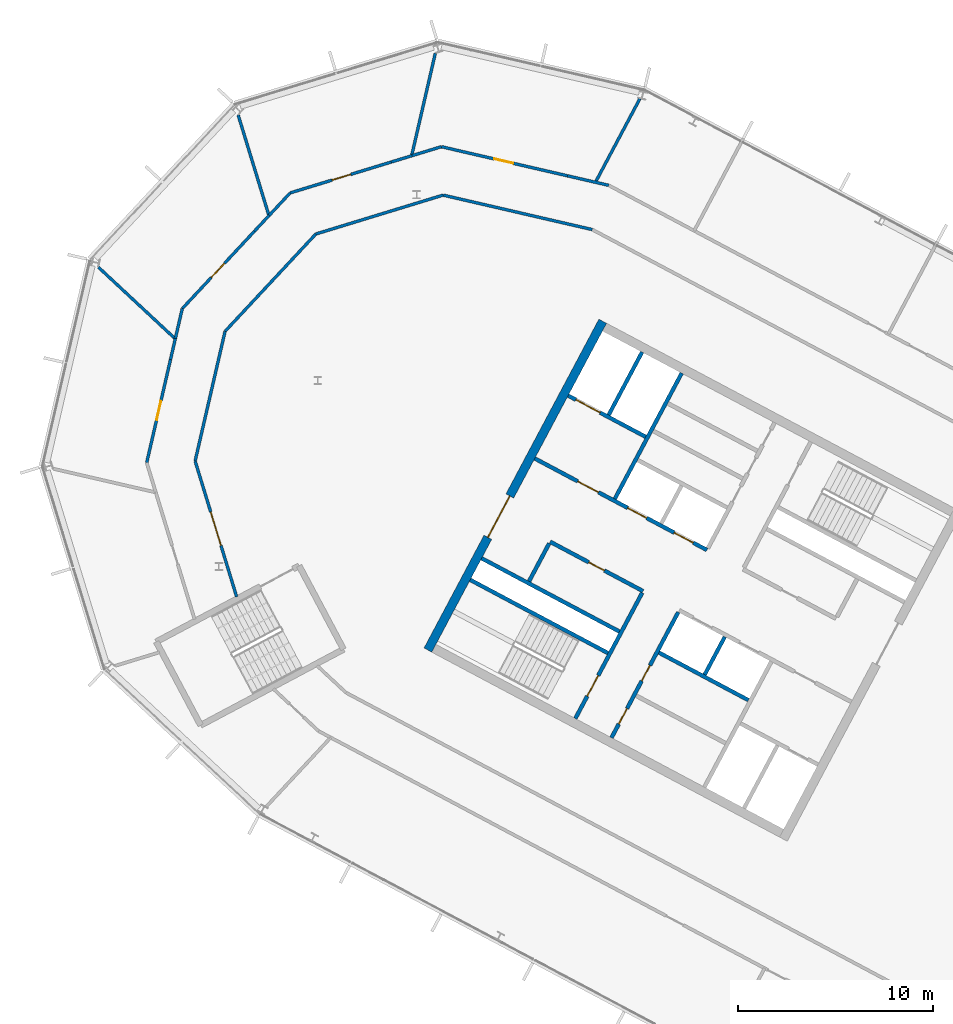
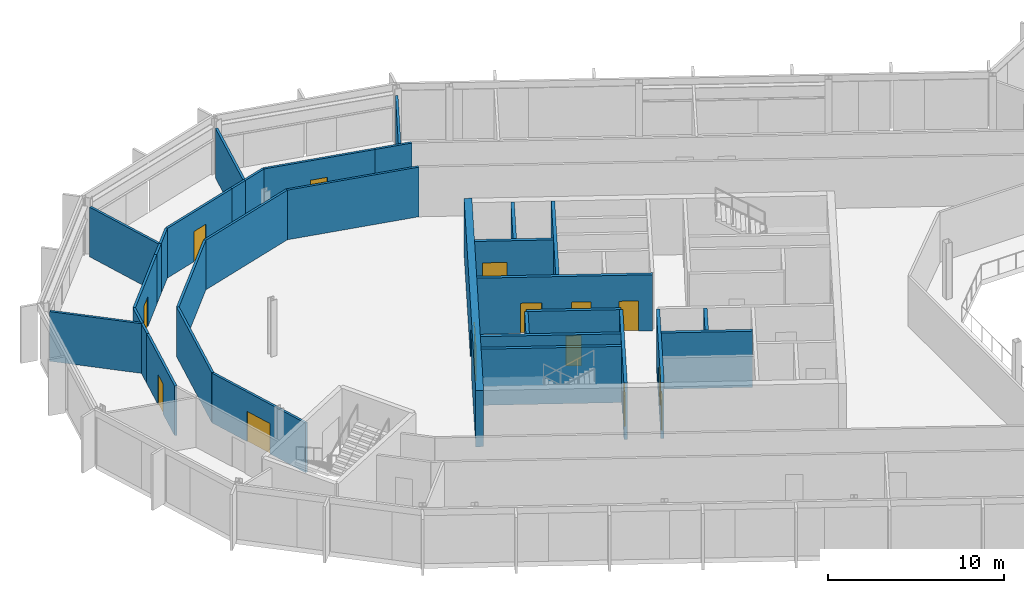
# One storey, part 14 of 26: 33 walls, 14 doors, 14 openings.
"""IFC4 building model written with IfcOpenShell, lengths in metres."""

import ifcopenshell
import ifcopenshell.guid

model = None  # the IFC model being written
_history = None  # IfcOwnerHistory: only IFC2X3 demands one
_inside = {}  # id of a spatial element -> (the spatial element, [elements in it])
_under = {}  # id of a project, library or spatial element -> (it, [spatial elements below it])
_declared = {}  # id of a project -> (the project, [libraries it declares])
_typed = {}  # id of a type object -> (the type object, [elements of that type])
_made_of = {}  # id of a material, layer set ... -> (it, [elements and type objects made of it])


def new_model(schema):
    """Start an empty IFC model of exactly this schema.

    Asked for "IFC4X3", IfcOpenShell would pick the latest addendum, in which some entities
    have other attributes; the version numbers below select the first issue.
    IFC2X3 requires an IfcOwnerHistory on every rooted entity: one is made here for all.
    """
    global model, _history
    if schema == "IFC4X3":
        model = ifcopenshell.file(schema_version=(4, 3, 0, 0))
    else:
        model = ifcopenshell.file(schema=schema)
    _inside.clear()
    _under.clear()
    _declared.clear()
    _typed.clear()
    _made_of.clear()
    _history = None
    if model.schema == "IFC2X3":
        org = make("IfcOrganization", Name="unknown")
        user = make(
            "IfcPersonAndOrganization",
            ThePerson=make("IfcPerson", FamilyName="unknown"),
            TheOrganization=org,
        )
        app = make(
            "IfcApplication",
            ApplicationDeveloper=org,
            Version="unknown",
            ApplicationFullName="unknown",
            ApplicationIdentifier="unknown",
        )
        _history = make(
            "IfcOwnerHistory",
            OwningUser=user,
            OwningApplication=app,
            ChangeAction="ADDED",
            CreationDate=0,
        )
    return model


def make(cls, **values):
    """One entity of the class cls with the attributes given. An attribute that is None is left unset."""
    return model.create_entity(
        cls, **{name: value for name, value in values.items() if value is not None}
    )


def rooted(cls, **values):
    """An entity with a GlobalId (a new one), such as an element, a storey or a relation."""
    return make(cls, GlobalId=ifcopenshell.guid.new(), OwnerHistory=_history, **values)


def si_unit(unit_type, name, prefix=None):
    """IfcSIUnit, for example si_unit("LENGTHUNIT", "METRE", prefix="MILLI")."""
    return make("IfcSIUnit", UnitType=unit_type, Prefix=prefix, Name=name)


def assignment(units):
    """IfcUnitAssignment: the units of a project."""
    return None if units is None else make("IfcUnitAssignment", Units=units)


def point(xyz):
    """IfcCartesianPoint."""
    return None if xyz is None else make("IfcCartesianPoint", Coordinates=xyz)


def direction(xyz):
    """IfcDirection."""
    return None if xyz is None else make("IfcDirection", DirectionRatios=xyz)


def frame(location, z_axis=None, x_axis=None):
    """IfcAxis2Placement3D, a coordinate frame: its origin and axes. An axis left out is left unset."""
    return make(
        "IfcAxis2Placement3D",
        Location=point(location),
        Axis=direction(z_axis),
        RefDirection=direction(x_axis),
    )


def frame_2d(location, x_axis=None):
    """IfcAxis2Placement2D, a coordinate frame in the plane: its origin and x axis."""
    return make(
        "IfcAxis2Placement2D", Location=point(location), RefDirection=direction(x_axis)
    )


def origin():
    """The frame at (0, 0, 0) with its axes left unset."""
    return frame((0.0, 0.0, 0.0))


def place(relative_to, where):
    """IfcLocalPlacement: puts the frame where relative to a parent placement (None: the world)."""
    return make(
        "IfcLocalPlacement", PlacementRelTo=relative_to, RelativePlacement=where
    )


def context(
    kind, dimensions, precision=None, world=None, true_north=None, identifier=None
):
    """IfcGeometricRepresentationContext, for example the 3D "Model" context."""
    return make(
        "IfcGeometricRepresentationContext",
        ContextIdentifier=identifier,
        ContextType=kind,
        CoordinateSpaceDimension=dimensions,
        Precision=precision,
        WorldCoordinateSystem=world,
        TrueNorth=true_north,
    )


def subcontext(parent, identifier, kind, view, scale=None):
    """IfcGeometricRepresentationSubContext, for example "Body" below "Model"."""
    return make(
        "IfcGeometricRepresentationSubContext",
        ContextIdentifier=identifier,
        ContextType=kind,
        ParentContext=parent,
        TargetScale=scale,
        TargetView=view,
    )


def project(units=None, contexts=None):
    """IfcProject with its units and contexts."""
    return rooted(
        "IfcProject",
        Name="project",
        RepresentationContexts=contexts,
        UnitsInContext=assignment(units),
    )


def spatial(cls, under=None, at=None, **own):
    """A site, building, storey or space (cls), placed at a placement, below another one or the project."""
    s = rooted(cls, ObjectPlacement=at, **own)
    if under is not None:
        _under.setdefault(under.id(), (under, []))[1].append(s)
    return s


def profile(cls, at=None, kind="AREA", **sizes):
    """A parametric profile (cls). Its sizes go by their IFC names, for example OverallWidth=200.0."""
    return make(cls, ProfileType=kind, Position=at, **sizes)


def rectangle(**sizes):
    """IfcRectangleProfileDef."""
    return profile("IfcRectangleProfileDef", **sizes)


def extrude(swept, where, along, depth):
    """IfcExtrudedAreaSolid: the profile swept, set in the frame where, extruded along a direction by depth."""
    return make(
        "IfcExtrudedAreaSolid",
        SweptArea=swept,
        Position=where,
        ExtrudedDirection=direction(along),
        Depth=depth,
    )


def shape(context_of_items, identifier, shape_type, items):
    """IfcShapeRepresentation: the items that make up one representation, for example the "Body"."""
    return make(
        "IfcShapeRepresentation",
        ContextOfItems=context_of_items,
        RepresentationIdentifier=identifier,
        RepresentationType=shape_type,
        Items=items,
    )


def material(Name=None, Category=None):
    """IfcMaterial."""
    return make("IfcMaterial", Name=Name, Category=Category)


def layer(
    of_material, thickness, ventilated=None, Name=None, Category=None, Priority=None
):
    """IfcMaterialLayer: one layer of a wall or slab, of a material (None: an air gap)."""
    return make(
        "IfcMaterialLayer",
        Material=of_material,
        LayerThickness=thickness,
        IsVentilated=ventilated,
        Name=Name,
        Category=Category,
        Priority=Priority,
    )


def layer_set(layers, Name=None):
    """IfcMaterialLayerSet."""
    return make("IfcMaterialLayerSet", MaterialLayers=layers, LayerSetName=Name)


def made_of(thing, what):
    """Note that an element or type object is made of a material, layer set ...; save() writes the relation."""
    if what is not None:
        _made_of.setdefault(what.id(), (what, []))[1].append(thing)
    return thing


def type_object(cls, material=None, **own):
    """A type object (cls), such as IfcWallType, which elements share."""
    return made_of(rooted(cls, **own), material)


def element(
    cls,
    number,
    at=None,
    inside=None,
    cuts=None,
    type_object=None,
    material=None,
    context=None,
    identifier="Body",
    shape_type=None,
    held_by="IfcProductDefinitionShape",
    body=None,
    shapes=None,
    **own,
):
    """One element of the class cls, such as IfcWall. Its Tag is "e" and its number.

    at: its placement. inside: the storey or other place that contains it. cuts: it is an
    opening in that element (IfcRelVoidsElement). A single representation is given by context,
    identifier, shape_type and body (its items); several are given by shapes. held_by: the class
    of the entity that holds the representations. save() writes the other relations.
    """
    e = rooted(cls, Tag="e%d" % number, ObjectPlacement=at, **own)
    if body is not None:
        shapes = [shape(context, identifier, shape_type, body)]
    if shapes is not None:
        e.Representation = make(held_by, Representations=shapes)
    if inside is not None:
        _inside.setdefault(inside.id(), (inside, []))[1].append(e)
    if cuts is not None:
        rooted(
            "IfcRelVoidsElement", RelatingBuildingElement=cuts, RelatedOpeningElement=e
        )
    if type_object is not None:
        _typed.setdefault(type_object.id(), (type_object, []))[1].append(e)
    return made_of(e, material)


def fill(opening, filler):
    """IfcRelFillsElement: the door or window that sits in an opening."""
    return rooted(
        "IfcRelFillsElement",
        RelatingOpeningElement=opening,
        RelatedBuildingElement=filler,
    )


def aggregate(whole, parts):
    """IfcRelAggregates: a whole, such as a stair, and the parts it consists of."""
    return rooted("IfcRelAggregates", RelatingObject=whole, RelatedObjects=parts)


def save(model, path):
    """Write the relations noted so far, then the file.

    IfcRelAggregates (storeys below a building ...), IfcRelContainedInSpatialStructure (elements
    in a storey), IfcRelDefinesByType, IfcRelAssociatesMaterial and IfcRelDeclares: one each for
    every whole, place, type object, material and project.
    """
    for whole, parts in _under.values():
        aggregate(whole, parts)
    for where, things in _inside.values():
        rooted(
            "IfcRelContainedInSpatialStructure",
            RelatedElements=things,
            RelatingStructure=where,
        )
    for kind, things in _typed.values():
        rooted("IfcRelDefinesByType", RelatedObjects=things, RelatingType=kind)
    for what, things in _made_of.values():
        rooted("IfcRelAssociatesMaterial", RelatedObjects=things, RelatingMaterial=what)
    for by, libraries in _declared.values():
        rooted("IfcRelDeclares", RelatingContext=by, RelatedDefinitions=libraries)
    model.write(path)


model = new_model("IFC4")

# Units and contexts
model_context = context("Model", 3, precision=1e-05, world=origin(), true_north=direction((0.0, 1.0)))
body_context = subcontext(model_context, "Body", "Model", "MODEL_VIEW")
ifc_project = project(units=[si_unit("LENGTHUNIT", "METRE"), si_unit("AREAUNIT", "SQUARE_METRE"), si_unit("VOLUMEUNIT", "CUBIC_METRE"), si_unit("PLANEANGLEUNIT", "RADIAN"), si_unit("MASSUNIT", "GRAM", prefix="KILO")], contexts=[model_context])

# Site, building, storey
site_placement = place(None, origin())
site = spatial("IfcSite", under=ifc_project, at=site_placement, CompositionType="ELEMENT")
building_placement = place(site_placement, origin())
building = spatial("IfcBuilding", under=site, at=building_placement, Name="Cormorant Relay Tower", CompositionType="ELEMENT")
storey_placement = place(building_placement, frame((0.0, 0.0, 316.5)))
storey = spatial("IfcBuildingStorey", under=building, at=storey_placement, Name="L72", CompositionType="ELEMENT", Elevation=316.5)

# Wall
ifc_material_1 = material(Name="Concrete 40 MPa", Category="concrete")
ifc_layer_1 = layer(ifc_material_1, 0.199951171875)
ifc_layer_set_1 = layer_set([ifc_layer_1], Name="Core internal wall 200")
wall_type_1 = type_object("IfcWallType", Name="Core internal wall 200", PredefinedType="SOLIDWALL", material=ifc_layer_set_1)
wall_1_placement = place(storey_placement, frame((-25.744140625, 11.64990234375, 0.0), z_axis=(0.0, 0.0, 1.0), x_axis=(-0.469487830541, -0.882938942948, 0.0)))
element("IfcWall", 1, at=wall_1_placement, inside=storey, type_object=wall_type_1, Name="L72 core A shaft and room wall", PredefinedType="SOLIDWALL", context=body_context, shape_type="SweptSolid", body=[
    extrude(rectangle(XDim=2.2001953125, YDim=0.199951171875, at=frame_2d((1.10009765625, 0.0))), origin(), (0.0, 0.0, 1.0), 3.89990234375),
])

# Wall, openings, doors
ifc_material_2 = material(Name="Concrete 50 MPa", Category="concrete")
ifc_layer_2 = layer(ifc_material_2, 0.199951171875)
ifc_layer_set_2 = layer_set([ifc_layer_2], Name="Core shaft wall 200")
wall_type_2 = type_object("IfcWallType", Name="Core shaft wall 200", PredefinedType="SHEAR", material=ifc_layer_set_2)
wall_2_placement = place(storey_placement, frame((-28.128173828125, 12.91748046875, 0.0), z_axis=(0.0, 0.0, 1.0), x_axis=(-0.469454336211, -0.882956752176, 0.0)))
wall_2 = element("IfcWall", 2, at=wall_2_placement, inside=storey, type_object=wall_type_2, Name="L72 core A shaft wall", PredefinedType="SHEAR", context=body_context, shape_type="SweptSolid", body=[
    extrude(rectangle(XDim=7.300048828125, YDim=0.199951171875, at=frame_2d((3.64990234375, 0.0))), origin(), (0.0, 0.0, 1.0), 3.89990234375),
])
opening_1_placement = place(wall_2_placement, frame((3.10009765625, 0.0, 0.0)))
opening_1 = element("IfcOpeningElement", 3, at=opening_1_placement, cuts=wall_2, Name="Opening CDD-345", PredefinedType="OPENING", context=body_context, shape_type="SweptSolid", body=[
    extrude(rectangle(XDim=0.89990234375, YDim=2.10009765625, at=frame_2d((0.449951171875, 1.050048828125))), frame((0.0, 0.10986328125, 0.0), z_axis=(0.0, -1.0, 0.0), x_axis=(1.0, 0.0, 0.0)), (0.0, 0.0, 1.0), 0.219970703125),
])
opening_2_placement = place(wall_2_placement, frame((5.60009765625, 0.0, 0.0)))
opening_2 = element("IfcOpeningElement", 4, at=opening_2_placement, cuts=wall_2, Name="Opening CDD-346", PredefinedType="OPENING", context=body_context, shape_type="SweptSolid", body=[
    extrude(rectangle(XDim=0.89990234375, YDim=2.10009765625, at=frame_2d((0.449951171875, 1.050048828125))), frame((0.0, 0.10986328125, 0.0), z_axis=(0.0, -1.0, 0.0), x_axis=(1.0, 0.0, 0.0)), (0.0, 0.0, 1.0), 0.219970703125),
])
ifc_material_3 = material(Name="Steel fire door", Category="steel")
door_type_1 = type_object("IfcDoorType", Name="Core room door 900x2100", OperationType="SINGLE_SWING_LEFT", PredefinedType="DOOR", material=ifc_material_3)
door_1_placement = place(opening_1_placement, origin())
door_1 = element("IfcDoor", 5, at=door_1_placement, inside=storey, type_object=door_type_1, Name="Core room door 900x2100", OperationType="SINGLE_SWING_LEFT", OverallHeight=2.10009765625, OverallWidth=0.89990234375, PredefinedType="DOOR", context=body_context, shape_type="SweptSolid", body=[
    extrude(rectangle(XDim=0.89990234375, YDim=2.10009765625, at=frame_2d((0.449951171875, 1.050048828125))), frame((0.0, 0.02490234375, 0.0), z_axis=(0.0, -1.0, 0.0), x_axis=(1.0, 0.0, 0.0)), (0.0, 0.0, 1.0), 0.050048828125),
])
fill(opening_1, door_1)
door_2_placement = place(opening_2_placement, origin())
door_2 = element("IfcDoor", 6, at=door_2_placement, inside=storey, type_object=door_type_1, Name="Core room door 900x2100", OperationType="SINGLE_SWING_LEFT", OverallHeight=2.10009765625, OverallWidth=0.89990234375, PredefinedType="DOOR", context=body_context, shape_type="SweptSolid", body=[
    extrude(rectangle(XDim=0.89990234375, YDim=2.10009765625, at=frame_2d((0.449951171875, 1.050048828125))), frame((0.0, 0.02490234375, 0.0), z_axis=(0.0, -1.0, 0.0), x_axis=(1.0, 0.0, 0.0)), (0.0, 0.0, 1.0), 0.050048828125),
])
fill(opening_2, door_2)

# Wall, opening, door
wall_3_placement = place(storey_placement, frame((-29.982421875, 13.9033203125, 0.0), z_axis=(0.0, 0.0, 1.0), x_axis=(-0.469454336211, -0.882956752176, 0.0)))
wall_3 = element("IfcWall", 7, at=wall_3_placement, inside=storey, type_object=wall_type_2, Name="L72 core A shaft wall", PredefinedType="SHEAR", context=body_context, shape_type="SweptSolid", body=[
    extrude(rectangle(XDim=7.300048828125, YDim=0.199951171875, at=frame_2d((3.64990234375, 0.0))), origin(), (0.0, 0.0, 1.0), 3.89990234375),
])
opening_3_placement = place(wall_3_placement, frame((4.800048828125, 0.0, 0.0)))
opening_3 = element("IfcOpeningElement", 8, at=opening_3_placement, cuts=wall_3, Name="Opening CDB-039", PredefinedType="OPENING", context=body_context, shape_type="SweptSolid", body=[
    extrude(rectangle(XDim=1.199951171875, YDim=2.10009765625, at=frame_2d((0.60009765625, 1.050048828125))), frame((0.0, 0.10986328125, 0.0), z_axis=(0.0, -1.0, 0.0), x_axis=(1.0, 0.0, 0.0)), (0.0, 0.0, 1.0), 0.219970703125),
])
ifc_material_4 = material(Name="Steel fire door", Category="steel")
door_type_2 = type_object("IfcDoorType", Name="Core stair door 1200x2100", OperationType="SINGLE_SWING_LEFT", PredefinedType="DOOR", material=ifc_material_4)
door_3_placement = place(opening_3_placement, frame((1.199951171875, 0.0, 0.0), z_axis=(0.0, 0.0, 1.0), x_axis=(-1.0, 0.0, 0.0)))
door_3 = element("IfcDoor", 9, at=door_3_placement, inside=storey, type_object=door_type_2, Name="Core stair door 1200x2100", OperationType="SINGLE_SWING_RIGHT", OverallHeight=2.10009765625, OverallWidth=1.199951171875, PredefinedType="DOOR", context=body_context, shape_type="SweptSolid", body=[
    extrude(rectangle(XDim=1.199951171875, YDim=2.10009765625, at=frame_2d((0.60009765625, 1.050048828125))), frame((0.0, 0.02490234375, 0.0), z_axis=(0.0, -1.0, 0.0), x_axis=(1.0, 0.0, 0.0)), (0.0, 0.0, 1.0), 0.050048828125),
])
fill(opening_3, door_3)

# Walls
wall_4_placement = place(storey_placement, frame((-27.955322265625, 25.170654296875, 0.0), z_axis=(0.0, 0.0, 1.0), x_axis=(-0.469480409012, -0.88294288918, 0.0)))
element("IfcWall", 10, at=wall_4_placement, inside=storey, type_object=wall_type_2, Name="L72 core A shaft wall", PredefinedType="SHEAR", context=body_context, shape_type="SweptSolid", body=[
    extrude(rectangle(XDim=7.300048828125, YDim=0.199951171875, at=frame_2d((3.64990234375, 0.0))), origin(), (0.0, 0.0, 1.0), 3.89990234375),
])
wall_5_placement = place(storey_placement, frame((-34.750244140625, 16.4384765625, 0.0), z_axis=(0.0, 0.0, 1.0), x_axis=(-0.469401318492, -0.882984938828, 0.0)))
element("IfcWall", 11, at=wall_5_placement, inside=storey, type_object=wall_type_2, Name="L72 core A shaft wall", PredefinedType="SHEAR", context=body_context, shape_type="SweptSolid", body=[
    extrude(rectangle(XDim=2.199951171875, YDim=0.199951171875, at=frame_2d((1.10009765625, 0.0))), origin(), (0.0, 0.0, 1.0), 3.89990234375),
])
wall_6_placement = place(storey_placement, frame((-29.986083984375, 26.250244140625, 0.0), z_axis=(0.0, 0.0, 1.0), x_axis=(-0.469494272526, -0.882935517501, 0.0)))
element("IfcWall", 12, at=wall_6_placement, inside=storey, type_object=wall_type_2, Name="L72 core A shaft wall", PredefinedType="SHEAR", context=body_context, shape_type="SweptSolid", body=[
    extrude(rectangle(XDim=3.64990234375, YDim=0.199951171875, at=frame_2d((1.824951171875, 0.0))), origin(), (0.0, 0.0, 1.0), 3.89990234375),
])

# Wall, opening, door
wall_7_placement = place(storey_placement, frame((-29.80419921875, 21.906494140625, 0.0), z_axis=(0.0, 0.0, 1.0), x_axis=(-0.882960433586, 0.469447412093, 0.0)))
wall_7 = element("IfcWall", 13, at=wall_7_placement, inside=storey, type_object=wall_type_2, Name="L72 core A shaft wall", PredefinedType="SHEAR", context=body_context, shape_type="SweptSolid", body=[
    extrude(rectangle(XDim=4.5, YDim=0.199951171875, at=frame_2d((2.25, 0.0))), origin(), (0.0, 0.0, 1.0), 3.89990234375),
])
opening_4_placement = place(wall_7_placement, frame((2.64990234375, 0.0, 0.0)))
opening_4 = element("IfcOpeningElement", 14, at=opening_4_placement, cuts=wall_7, Name="Opening LD3-015", PredefinedType="OPENING", context=body_context, shape_type="SweptSolid", body=[
    extrude(rectangle(XDim=1.39990234375, YDim=2.39990234375, at=frame_2d((0.699951171875, 1.199951171875))), frame((0.0, 0.10986328125, 0.0), z_axis=(0.0, -1.0, 0.0), x_axis=(1.0, 0.0, 0.0)), (0.0, 0.0, 1.0), 0.219970703125),
])
ifc_material_5 = material(Name="Stainless steel 316", Category="steel")
door_type_3 = type_object("IfcDoorType", Name="Lift landing door 1400x2400", OperationType="DOUBLE_DOOR_SLIDING", PredefinedType="DOOR", material=ifc_material_5)
door_4_placement = place(opening_4_placement, origin())
door_4 = element("IfcDoor", 15, at=door_4_placement, inside=storey, type_object=door_type_3, Name="SV1 landing door", OperationType="DOUBLE_DOOR_SLIDING", OverallHeight=2.39990234375, OverallWidth=1.39990234375, PredefinedType="DOOR", context=body_context, shape_type="SweptSolid", body=[
    extrude(rectangle(XDim=1.39990234375, YDim=2.39990234375, at=frame_2d((0.699951171875, 1.199951171875))), frame((0.0, 0.02490234375, 0.0), z_axis=(0.0, -1.0, 0.0), x_axis=(1.0, 0.0, 0.0)), (0.0, 0.0, 1.0), 0.050048828125),
])
fill(opening_4, door_4)

# Wall, openings, doors
wall_8_placement = place(storey_placement, frame((-26.66162109375, 16.1015625, 0.0), z_axis=(0.0, 0.0, 1.0), x_axis=(-0.882940221191, 0.469485426614, 0.0)))
wall_8 = element("IfcWall", 16, at=wall_8_placement, inside=storey, type_object=wall_type_2, Name="L72 core A shaft wall", PredefinedType="SHEAR", context=body_context, shape_type="SweptSolid", body=[
    extrude(rectangle(XDim=10.0, YDim=0.199951171875, at=frame_2d((5.0, 0.0))), origin(), (0.0, 0.0, 1.0), 3.89990234375),
])
opening_5_placement = place(wall_8_placement, frame((6.300048828125, 0.0, 0.0)))
opening_5 = element("IfcOpeningElement", 17, at=opening_5_placement, cuts=wall_8, Name="Opening CDC-034", PredefinedType="OPENING", context=body_context, shape_type="SweptSolid", body=[
    extrude(rectangle(XDim=1.199951171875, YDim=2.10009765625, at=frame_2d((0.60009765625, 1.050048828125))), frame((0.0, 0.10986328125, 0.0), z_axis=(0.0, -1.0, 0.0), x_axis=(1.0, 0.0, 0.0)), (0.0, 0.0, 1.0), 0.219970703125),
])
opening_6_placement = place(wall_8_placement, frame((0.800048828125, 0.0, 0.0)))
opening_6 = element("IfcOpeningElement", 18, at=opening_6_placement, cuts=wall_8, Name="Opening LD1-067", PredefinedType="OPENING", context=body_context, shape_type="SweptSolid", body=[
    extrude(rectangle(XDim=1.10009765625, YDim=2.10009765625, at=frame_2d((0.550048828125, 1.050048828125))), frame((0.0, 0.10986328125, 0.0), z_axis=(0.0, -1.0, 0.0), x_axis=(1.0, 0.0, 0.0)), (0.0, 0.0, 1.0), 0.219970703125),
])
opening_7_placement = place(wall_8_placement, frame((3.5, 0.0, 0.0)))
opening_7 = element("IfcOpeningElement", 19, at=opening_7_placement, cuts=wall_8, Name="Opening LD1-068", PredefinedType="OPENING", context=body_context, shape_type="SweptSolid", body=[
    extrude(rectangle(XDim=1.10009765625, YDim=2.10009765625, at=frame_2d((0.550048828125, 1.050048828125))), frame((0.0, 0.10986328125, 0.0), z_axis=(0.0, -1.0, 0.0), x_axis=(1.0, 0.0, 0.0)), (0.0, 0.0, 1.0), 0.219970703125),
])
ifc_material_6 = material(Name="Steel fire door", Category="steel")
door_type_4 = type_object("IfcDoorType", Name="Core lobby door 1200x2100", OperationType="SINGLE_SWING_LEFT", PredefinedType="DOOR", material=ifc_material_6)
door_5_placement = place(opening_5_placement, origin())
door_5 = element("IfcDoor", 20, at=door_5_placement, inside=storey, type_object=door_type_4, Name="Core lobby door 1200x2100", OperationType="SINGLE_SWING_LEFT", OverallHeight=2.10009765625, OverallWidth=1.199951171875, PredefinedType="DOOR", context=body_context, shape_type="SweptSolid", body=[
    extrude(rectangle(XDim=1.199951171875, YDim=2.10009765625, at=frame_2d((0.60009765625, 1.050048828125))), frame((0.0, 0.02490234375, 0.0), z_axis=(0.0, -1.0, 0.0), x_axis=(1.0, 0.0, 0.0)), (0.0, 0.0, 1.0), 0.050048828125),
])
fill(opening_5, door_5)
ifc_material_7 = material(Name="Stainless steel 316", Category="steel")
door_type_5 = type_object("IfcDoorType", Name="Lift landing door 1100x2100", OperationType="DOUBLE_DOOR_SLIDING", PredefinedType="DOOR", material=ifc_material_7)
door_6_placement = place(opening_6_placement, origin())
door_6 = element("IfcDoor", 21, at=door_6_placement, inside=storey, type_object=door_type_5, Name="HR3 landing door", OperationType="DOUBLE_DOOR_SLIDING", OverallHeight=2.10009765625, OverallWidth=1.10009765625, PredefinedType="DOOR", context=body_context, shape_type="SweptSolid", body=[
    extrude(rectangle(XDim=1.10009765625, YDim=2.10009765625, at=frame_2d((0.550048828125, 1.050048828125))), frame((0.0, 0.02490234375, 0.0), z_axis=(0.0, -1.0, 0.0), x_axis=(1.0, 0.0, 0.0)), (0.0, 0.0, 1.0), 0.050048828125),
])
fill(opening_6, door_6)
door_7_placement = place(opening_7_placement, origin())
door_7 = element("IfcDoor", 22, at=door_7_placement, inside=storey, type_object=door_type_5, Name="HR4 landing door", OperationType="DOUBLE_DOOR_SLIDING", OverallHeight=2.10009765625, OverallWidth=1.10009765625, PredefinedType="DOOR", context=body_context, shape_type="SweptSolid", body=[
    extrude(rectangle(XDim=1.10009765625, YDim=2.10009765625, at=frame_2d((0.550048828125, 1.050048828125))), frame((0.0, 0.02490234375, 0.0), z_axis=(0.0, -1.0, 0.0), x_axis=(1.0, 0.0, 0.0)), (0.0, 0.0, 1.0), 0.050048828125),
])
fill(opening_7, door_7)

# Wall, opening, door
wall_9_placement = place(storey_placement, frame((-29.935302734375, 13.991455078125, 0.0), z_axis=(0.0, 0.0, 1.0), x_axis=(-0.882952937579, 0.469461510692, 0.0)))
wall_9 = element("IfcWall", 23, at=wall_9_placement, inside=storey, type_object=wall_type_2, Name="L72 core A shaft wall", PredefinedType="SHEAR", context=body_context, shape_type="SweptSolid", body=[
    extrude(rectangle(XDim=5.400146484375, YDim=0.199951171875, at=frame_2d((2.7001953125, 0.0))), origin(), (0.0, 0.0, 1.0), 3.89990234375),
])
opening_8_placement = place(wall_9_placement, frame((2.25, 0.0, 0.0)))
opening_8 = element("IfcOpeningElement", 24, at=opening_8_placement, cuts=wall_9, Name="Opening CDD-318", PredefinedType="OPENING", context=body_context, shape_type="SweptSolid", body=[
    extrude(rectangle(XDim=0.89990234375, YDim=2.10009765625, at=frame_2d((0.449951171875, 1.050048828125))), frame((0.0, 0.10986328125, 0.0), z_axis=(0.0, -1.0, 0.0), x_axis=(1.0, 0.0, 0.0)), (0.0, 0.0, 1.0), 0.219970703125),
])
door_8_placement = place(opening_8_placement, origin())
door_8 = element("IfcDoor", 25, at=door_8_placement, inside=storey, type_object=door_type_1, Name="Core room door 900x2100", OperationType="SINGLE_SWING_LEFT", OverallHeight=2.10009765625, OverallWidth=0.89990234375, PredefinedType="DOOR", context=body_context, shape_type="SweptSolid", body=[
    extrude(rectangle(XDim=0.89990234375, YDim=2.10009765625, at=frame_2d((0.449951171875, 1.050048828125))), frame((0.0, 0.02490234375, 0.0), z_axis=(0.0, -1.0, 0.0), x_axis=(1.0, 0.0, 0.0)), (0.0, 0.0, 1.0), 0.050048828125),
])
fill(opening_8, door_8)

# Walls
wall_10_placement = place(storey_placement, frame((-24.5283203125, 8.3984375, 0.0), z_axis=(0.0, 0.0, 1.0), x_axis=(-0.882953967957, 0.469459572775, 0.0)))
element("IfcWall", 26, at=wall_10_placement, inside=storey, type_object=wall_type_2, Name="L72 core A shaft wall", PredefinedType="SHEAR", context=body_context, shape_type="SweptSolid", body=[
    extrude(rectangle(XDim=5.199951171875, YDim=0.199951171875, at=frame_2d((2.60009765625, 0.0))), origin(), (0.0, 0.0, 1.0), 3.89990234375),
])
for number, where, z_axis, x_axis, name in (
    (27, (-31.150390625, 11.91943359375, 0.0), (0.0, 0.0, 1.0), (-0.882940221191, 0.469485426614, 0.0), "L72 core A shaft wall"),
    (28, (-31.7373046875, 10.815673828125, 0.0), (0.0, 0.0, 1.0), (-0.882940221191, 0.469485426614, 0.0), "L72 core A shaft wall"),
):
    element("IfcWall", number, at=place(storey_placement, frame(where, z_axis=z_axis, x_axis=x_axis)), inside=storey, type_object=wall_type_2, Name=name, PredefinedType="SHEAR", context=body_context, shape_type="SweptSolid", body=[
        extrude(rectangle(XDim=8.0, YDim=0.199951171875, at=frame_2d((4.0, 0.0))), origin(), (0.0, 0.0, 1.0), 3.89990234375),
    ])

# Wall, opening, door
ifc_material_8 = material(Name="Concrete 50 MPa", Category="concrete")
ifc_layer_3 = layer(ifc_material_8, 0.449951171875)
ifc_layer_set_3 = layer_set([ifc_layer_3], Name="Core wall 450")
wall_type_3 = type_object("IfcWallType", Name="Core wall 450", PredefinedType="SHEAR", material=ifc_layer_set_3)
wall_11_placement = place(storey_placement, frame((-32.00439453125, 27.8330078125, 0.0), z_axis=(0.0, 0.0, 1.0), x_axis=(-0.469467968382, -0.882949504028, 0.0)))
wall_11 = element("IfcWall", 29, at=wall_11_placement, inside=storey, type_object=wall_type_3, Name="L72 core A wall", PredefinedType="SHEAR", context=body_context, shape_type="SweptSolid", body=[
    extrude(rectangle(XDim=19.099853515625, YDim=0.449951171875, at=frame_2d((9.5498046875, 0.0))), origin(), (0.0, 0.0, 1.0), 3.89990234375),
])
opening_9_placement = place(wall_11_placement, frame((10.14990234375, 0.0, 0.0)))
opening_9 = element("IfcOpeningElement", 30, at=opening_9_placement, cuts=wall_11, Name="Opening CDA-051", PredefinedType="OPENING", context=body_context, shape_type="SweptSolid", body=[
    extrude(rectangle(XDim=2.39990234375, YDim=2.39990234375, at=frame_2d((1.199951171875, 1.199951171875))), frame((0.0, 0.23486328125, 0.0), z_axis=(0.0, -1.0, 0.0), x_axis=(1.0, 0.0, 0.0)), (0.0, 0.0, 1.0), 0.469970703125),
])
ifc_material_9 = material(Name="Steel fire door", Category="steel")
door_type_6 = type_object("IfcDoorType", Name="Core lobby door 2400x2400", OperationType="DOUBLE_DOOR_SINGLE_SWING", PredefinedType="DOOR", material=ifc_material_9)
door_9_placement = place(opening_9_placement, origin())
door_9 = element("IfcDoor", 31, at=door_9_placement, inside=storey, type_object=door_type_6, Name="Core lobby door 2400x2400", OperationType="DOUBLE_DOOR_SINGLE_SWING", OverallHeight=2.39990234375, OverallWidth=2.39990234375, PredefinedType="DOOR", context=body_context, shape_type="SweptSolid", body=[
    extrude(rectangle(XDim=2.39990234375, YDim=2.39990234375, at=frame_2d((1.199951171875, 1.199951171875))), frame((0.0, 0.02490234375, 0.0), z_axis=(0.0, -1.0, 0.0), x_axis=(1.0, 0.0, 0.0)), (0.0, 0.0, 1.0), 0.050048828125),
])
fill(opening_9, door_9)

ifc_material_10 = material(Name="Gypsum board fire partition")
ifc_layer_4 = layer(ifc_material_10, 0.14990234375)
ifc_layer_set_4 = layer_set([ifc_layer_4], Name="Corridor partition 150 EI 60")
wall_type_4 = type_object("IfcWallType", Name="Corridor partition 150 EI 60", PredefinedType="PARTITIONING", material=ifc_layer_set_4)
wall_12_placement = place(storey_placement, frame((-55.39111328125, 20.5791015625, 0.0), z_axis=(0.0, 0.0, 1.0), x_axis=(0.224928528674, 0.974375264972, 0.0)))
wall_12 = element("IfcWall", 32, at=wall_12_placement, inside=storey, type_object=wall_type_4, Name="wall/L72/part/005", PredefinedType="PARTITIONING", context=body_context, shape_type="SweptSolid", body=[
    extrude(rectangle(XDim=5.4248046875, YDim=0.14990234375, at=frame_2d((2.71240234375, 0.0))), origin(), (0.0, 0.0, 1.0), 3.449951171875),
])
opening_10_placement = place(wall_12_placement, frame((2.25, 0.0, 0.0)))
opening_10 = element("IfcOpeningElement", 33, at=opening_10_placement, cuts=wall_12, Name="Opening DS-268", PredefinedType="OPENING", context=body_context, shape_type="SweptSolid", body=[
    extrude(rectangle(XDim=1.0, YDim=2.10009765625, at=frame_2d((0.5, 1.050048828125))), frame((0.0, 0.0849609375, 0.0), z_axis=(0.0, -1.0, 0.0), x_axis=(1.0, 0.0, 0.0)), (0.0, 0.0, 1.0), 0.169921875),
])
ifc_material_11 = material(Name="Timber door leaf", Category="wood")
door_type_7 = type_object("IfcDoorType", Name="Suite door 1000x2100", OperationType="SINGLE_SWING_LEFT", PredefinedType="DOOR", material=ifc_material_11)
door_10_placement = place(opening_10_placement, origin())
door_10 = element("IfcDoor", 34, at=door_10_placement, inside=storey, type_object=door_type_7, Name="door/L72/011", OperationType="SINGLE_SWING_RIGHT", OverallHeight=2.10009765625, OverallWidth=1.0, PredefinedType="DOOR", context=body_context, shape_type="SweptSolid", body=[
    extrude(rectangle(XDim=1.0, YDim=2.10009765625, at=frame_2d((0.5, 1.050048828125))), frame((0.0, 0.02490234375, 0.0), z_axis=(0.0, -1.0, 0.0), x_axis=(1.0, 0.0, 0.0)), (0.0, 0.0, 1.0), 0.050048828125),
])
fill(opening_10, door_10)

# Wall
wall_13_placement = place(storey_placement, frame((-54.1708984375, 25.864990234375, 0.0), z_axis=(0.0, 0.0, 1.0), x_axis=(0.224539202938, 0.974465056502, 0.0)))
element("IfcWall", 35, at=wall_13_placement, inside=storey, type_object=wall_type_4, Name="wall/L72/part/007", PredefinedType="PARTITIONING", context=body_context, shape_type="SweptSolid", body=[
    extrude(rectangle(XDim=1.11328125, YDim=0.14990234375, at=frame_2d((0.556640625, 0.0))), origin(), (0.0, 0.0, 1.0), 3.449951171875),
])

# Wall, opening, door
wall_14_placement = place(storey_placement, frame((-49.867919921875, 32.448974609375, 0.0), z_axis=(0.0, 0.0, 1.0), x_axis=(-0.681963747557, -0.731385976771, 0.0)))
wall_14 = element("IfcWall", 36, at=wall_14_placement, inside=storey, type_object=wall_type_4, Name="wall/L72/part/008", PredefinedType="PARTITIONING", context=body_context, shape_type="SweptSolid", body=[
    extrude(rectangle(XDim=5.424072265625, YDim=0.14990234375, at=frame_2d((2.7119140625, 0.0))), origin(), (0.0, 0.0, 1.0), 3.449951171875),
])
opening_11_placement = place(wall_14_placement, frame((2.25, 0.0, 0.0)))
opening_11 = element("IfcOpeningElement", 37, at=opening_11_placement, cuts=wall_14, Name="Opening DS-267", PredefinedType="OPENING", context=body_context, shape_type="SweptSolid", body=[
    extrude(rectangle(XDim=1.0, YDim=2.10009765625, at=frame_2d((0.5, 1.050048828125))), frame((0.0, 0.0849609375, 0.0), z_axis=(0.0, -1.0, 0.0), x_axis=(1.0, 0.0, 0.0)), (0.0, 0.0, 1.0), 0.169921875),
])
door_11_placement = place(opening_11_placement, frame((1.0, 0.0, 0.0), z_axis=(0.0, 0.0, 1.0), x_axis=(-1.0, 0.0, 0.0)))
door_11 = element("IfcDoor", 38, at=door_11_placement, inside=storey, type_object=door_type_7, Name="door/L72/010", OperationType="SINGLE_SWING_RIGHT", OverallHeight=2.10009765625, OverallWidth=1.0, PredefinedType="DOOR", context=body_context, shape_type="SweptSolid", body=[
    extrude(rectangle(XDim=1.0, YDim=2.10009765625, at=frame_2d((0.5, 1.050048828125))), frame((0.0, 0.02490234375, 0.0), z_axis=(0.0, -1.0, 0.0), x_axis=(1.0, 0.0, 0.0)), (0.0, 0.0, 1.0), 0.050048828125),
])
fill(opening_11, door_11)

# Wall
wall_15_placement = place(storey_placement, frame((-53.56689453125, 28.48193359375, 0.0), z_axis=(0.0, 0.0, 1.0), x_axis=(-0.225142997663, -0.974325731264, 0.0)))
element("IfcWall", 39, at=wall_15_placement, inside=storey, type_object=wall_type_4, Name="wall/L72/part/009", PredefinedType="PARTITIONING", context=body_context, shape_type="SweptSolid", body=[
    extrude(rectangle(XDim=1.572265625, YDim=0.14990234375, at=frame_2d((0.7861328125, 0.0))), origin(), (0.0, 0.0, 1.0), 3.449951171875),
])

# Wall, opening, door
wall_16_placement = place(storey_placement, frame((-50.778076171875, 13.699951171875, 0.0), z_axis=(0.0, 0.0, 1.0), x_axis=(-0.292389680205, 0.956299260122, 0.0)))
wall_16 = element("IfcWall", 40, at=wall_16_placement, inside=storey, type_object=wall_type_4, Name="wall/L72/part/011", PredefinedType="PARTITIONING", context=body_context, shape_type="SweptSolid", body=[
    extrude(rectangle(XDim=7.284423828125, YDim=0.14990234375, at=frame_2d((3.64208984375, 0.0))), origin(), (0.0, 0.0, 1.0), 3.449951171875),
])
opening_12_placement = place(wall_16_placement, frame((2.75, 0.0, 0.0)))
opening_12 = element("IfcOpeningElement", 41, at=opening_12_placement, cuts=wall_16, Name="Opening DD-043", PredefinedType="OPENING", context=body_context, shape_type="SweptSolid", body=[
    extrude(rectangle(XDim=1.800048828125, YDim=2.10009765625, at=frame_2d((0.89990234375, 1.050048828125))), frame((0.0, 0.0849609375, 0.0), z_axis=(0.0, -1.0, 0.0), x_axis=(1.0, 0.0, 0.0)), (0.0, 0.0, 1.0), 0.169921875),
])
ifc_material_12 = material(Name="Timber door leaf", Category="wood")
door_type_8 = type_object("IfcDoorType", Name="Suite double door 1800x2100", OperationType="DOUBLE_DOOR_SINGLE_SWING", PredefinedType="DOOR", material=ifc_material_12)
door_12_placement = place(opening_12_placement, frame((1.800048828125, 0.0, 0.0), z_axis=(0.0, 0.0, 1.0), x_axis=(-1.0, 0.0, 0.0)))
door_12 = element("IfcDoor", 42, at=door_12_placement, inside=storey, type_object=door_type_8, Name="door/L72/001", OperationType="DOUBLE_DOOR_SINGLE_SWING", OverallHeight=2.10009765625, OverallWidth=1.800048828125, PredefinedType="DOOR", context=body_context, shape_type="SweptSolid", body=[
    extrude(rectangle(XDim=1.800048828125, YDim=2.10009765625, at=frame_2d((0.89990234375, 1.050048828125))), frame((0.0, 0.02490234375, 0.0), z_axis=(0.0, -1.0, 0.0), x_axis=(1.0, 0.0, 0.0)), (0.0, 0.0, 1.0), 0.050048828125),
])
fill(opening_12, door_12)

# Walls
wall_17_placement = place(storey_placement, frame((-52.907958984375, 20.666015625, 0.0), z_axis=(0.0, 0.0, 1.0), x_axis=(0.224903921074, 0.974380945157, 0.0)))
element("IfcWall", 43, at=wall_17_placement, inside=storey, type_object=wall_type_4, Name="wall/L72/part/012", PredefinedType="PARTITIONING", context=body_context, shape_type="SweptSolid", body=[
    extrude(rectangle(XDim=6.82470703125, YDim=0.14990234375, at=frame_2d((3.412353515625, 0.0))), origin(), (0.0, 0.0, 1.0), 3.449951171875),
])
wall_18_placement = place(storey_placement, frame((-51.373046875, 27.31591796875, 0.0), z_axis=(0.0, 0.0, 1.0), x_axis=(0.681990592771, 0.731360944658, 0.0)))
element("IfcWall", 44, at=wall_18_placement, inside=storey, type_object=wall_type_4, Name="wall/L72/part/013", PredefinedType="PARTITIONING", context=body_context, shape_type="SweptSolid", body=[
    extrude(rectangle(XDim=6.82421875, YDim=0.14990234375, at=frame_2d((3.412109375, 0.0))), origin(), (0.0, 0.0, 1.0), 3.449951171875),
])
wall_19_placement = place(storey_placement, frame((-46.718994140625, 32.306884765625, 0.0), z_axis=(0.0, 0.0, 1.0), x_axis=(0.95630656764, 0.292365778928, 0.0)))
element("IfcWall", 45, at=wall_19_placement, inside=storey, type_object=wall_type_4, Name="wall/L72/part/014", PredefinedType="PARTITIONING", context=body_context, shape_type="SweptSolid", body=[
    extrude(rectangle(XDim=6.823974609375, YDim=0.14990234375, at=frame_2d((3.412109375, 0.0))), origin(), (0.0, 0.0, 1.0), 3.449951171875),
])
wall_20_placement = place(storey_placement, frame((-40.193115234375, 34.302001953125, 0.0), z_axis=(0.0, 0.0, 1.0), x_axis=(0.974357128631, -0.225007079636, 0.0)))
element("IfcWall", 46, at=wall_20_placement, inside=storey, type_object=wall_type_4, Name="wall/L72/part/015", PredefinedType="PARTITIONING", context=body_context, shape_type="SweptSolid", body=[
    extrude(rectangle(XDim=7.853515625, YDim=0.14990234375, at=frame_2d((3.9267578125, 0.0))), origin(), (0.0, 0.0, 1.0), 3.449951171875),
])
wall_21_placement = place(storey_placement, frame((-49.867919921875, 32.448974609375, 0.0), z_axis=(0.0, 0.0, 1.0), x_axis=(0.682029372067, 0.731324781227, 0.0)))
element("IfcWall", 47, at=wall_21_placement, inside=storey, type_object=wall_type_4, Name="wall/L72/part/026", PredefinedType="PARTITIONING", context=body_context, shape_type="SweptSolid", body=[
    extrude(rectangle(XDim=1.1142578125, YDim=0.14990234375, at=frame_2d((0.55712890625, 0.0))), origin(), (0.0, 0.0, 1.0), 3.449951171875),
])
wall_22_placement = place(storey_placement, frame((-48.034912109375, 34.4140625, 0.0), z_axis=(0.0, 0.0, 1.0), x_axis=(-0.682157860234, -0.731204932779, 0.0)))
element("IfcWall", 48, at=wall_22_placement, inside=storey, type_object=wall_type_4, Name="wall/L72/part/029", PredefinedType="PARTITIONING", context=body_context, shape_type="SweptSolid", body=[
    extrude(rectangle(XDim=1.572998046875, YDim=0.14990234375, at=frame_2d((0.78662109375, 0.0))), origin(), (0.0, 0.0, 1.0), 3.449951171875),
])

# Wall, opening, door
wall_23_placement = place(storey_placement, frame((-48.035888671875, 34.4140625, 0.0), z_axis=(0.0, 0.0, 1.0), x_axis=(0.956314531939, 0.292339727034, 0.0)))
wall_23 = element("IfcWall", 49, at=wall_23_placement, inside=storey, type_object=wall_type_4, Name="wall/L72/part/030", PredefinedType="PARTITIONING", context=body_context, shape_type="SweptSolid", body=[
    extrude(rectangle(XDim=5.425048828125, YDim=0.14990234375, at=frame_2d((2.71240234375, 0.0))), origin(), (0.0, 0.0, 1.0), 3.449951171875),
])
opening_13_placement = place(wall_23_placement, frame((2.25, 0.0, 0.0)))
opening_13 = element("IfcOpeningElement", 50, at=opening_13_placement, cuts=wall_23, Name="Opening DS-266", PredefinedType="OPENING", context=body_context, shape_type="SweptSolid", body=[
    extrude(rectangle(XDim=1.0, YDim=2.10009765625, at=frame_2d((0.5, 1.050048828125))), frame((0.0, 0.0849609375, 0.0), z_axis=(0.0, -1.0, 0.0), x_axis=(1.0, 0.0, 0.0)), (0.0, 0.0, 1.0), 0.169921875),
])
door_13_placement = place(opening_13_placement, origin())
door_13 = element("IfcDoor", 51, at=door_13_placement, inside=storey, type_object=door_type_7, Name="door/L72/009", OperationType="SINGLE_SWING_RIGHT", OverallHeight=2.10009765625, OverallWidth=1.0, PredefinedType="DOOR", context=body_context, shape_type="SweptSolid", body=[
    extrude(rectangle(XDim=1.0, YDim=2.10009765625, at=frame_2d((0.5, 1.050048828125))), frame((0.0, 0.02490234375, 0.0), z_axis=(0.0, -1.0, 0.0), x_axis=(1.0, 0.0, 0.0)), (0.0, 0.0, 1.0), 0.050048828125),
])
fill(opening_13, door_13)

# Wall
wall_24_placement = place(storey_placement, frame((-42.847900390625, 36.0, 0.0), z_axis=(0.0, 0.0, 1.0), x_axis=(0.95646384432, 0.291850842914, 0.0)))
element("IfcWall", 52, at=wall_24_placement, inside=storey, type_object=wall_type_4, Name="wall/L72/part/034", PredefinedType="PARTITIONING", context=body_context, shape_type="SweptSolid", body=[
    extrude(rectangle(XDim=1.113525390625, YDim=0.14990234375, at=frame_2d((0.556640625, 0.0))), origin(), (0.0, 0.0, 1.0), 3.449951171875),
])

# Wall, opening, door
wall_25_placement = place(storey_placement, frame((-33.818115234375, 35.29296875, 0.0), z_axis=(0.0, 0.0, 1.0), x_axis=(-0.974359538852, 0.224996642304, 0.0)))
wall_25 = element("IfcWall", 53, at=wall_25_placement, inside=storey, type_object=wall_type_4, Name="wall/L72/part/036", PredefinedType="PARTITIONING", context=body_context, shape_type="SweptSolid", body=[
    extrude(rectangle(XDim=6.630859375, YDim=0.14990234375, at=frame_2d((3.3154296875, 0.0))), origin(), (0.0, 0.0, 1.0), 3.449951171875),
])
opening_14_placement = place(wall_25_placement, frame((2.85009765625, 0.0, 0.0)))
opening_14 = element("IfcOpeningElement", 54, at=opening_14_placement, cuts=wall_25, Name="Opening DS-265", PredefinedType="OPENING", context=body_context, shape_type="SweptSolid", body=[
    extrude(rectangle(XDim=1.0, YDim=2.10009765625, at=frame_2d((0.5, 1.050048828125))), frame((0.0, 0.0849609375, 0.0), z_axis=(0.0, -1.0, 0.0), x_axis=(1.0, 0.0, 0.0)), (0.0, 0.0, 1.0), 0.169921875),
])
door_14_placement = place(opening_14_placement, frame((1.0, 0.0, 0.0), z_axis=(0.0, 0.0, 1.0), x_axis=(-1.0, 0.0, 0.0)))
door_14 = element("IfcDoor", 55, at=door_14_placement, inside=storey, type_object=door_type_7, Name="door/L72/008", OperationType="SINGLE_SWING_RIGHT", OverallHeight=2.10009765625, OverallWidth=1.0, PredefinedType="DOOR", context=body_context, shape_type="SweptSolid", body=[
    extrude(rectangle(XDim=1.0, YDim=2.10009765625, at=frame_2d((0.5, 1.050048828125))), frame((0.0, 0.02490234375, 0.0), z_axis=(0.0, -1.0, 0.0), x_axis=(1.0, 0.0, 0.0)), (0.0, 0.0, 1.0), 0.050048828125),
])
fill(opening_14, door_14)

# Walls
wall_26_placement = place(storey_placement, frame((-40.279052734375, 36.784912109375, 0.0), z_axis=(0.0, 0.0, 1.0), x_axis=(-0.956274411062, -0.292470940007, 0.0)))
element("IfcWall", 56, at=wall_26_placement, inside=storey, type_object=wall_type_4, Name="wall/L72/part/037", PredefinedType="PARTITIONING", context=body_context, shape_type="SweptSolid", body=[
    extrude(rectangle(XDim=1.57275390625, YDim=0.14990234375, at=frame_2d((0.786376953125, 0.0))), origin(), (0.0, 0.0, 1.0), 3.449951171875),
])
wall_27_placement = place(storey_placement, frame((-33.818115234375, 35.29296875, 0.0), z_axis=(0.0, 0.0, 1.0), x_axis=(0.974430804051, -0.22468780144, 0.0)))
element("IfcWall", 57, at=wall_27_placement, inside=storey, type_object=wall_type_4, Name="wall/L72/part/038", PredefinedType="PARTITIONING", context=body_context, shape_type="SweptSolid", body=[
    extrude(rectangle(XDim=2.1806640625, YDim=0.14990234375, at=frame_2d((1.09033203125, 0.0))), origin(), (0.0, 0.0, 1.0), 3.449951171875),
])
ifc_material_13 = material(Name="Gypsum board partition")
ifc_layer_5 = layer(ifc_material_13, 0.14990234375)
ifc_layer_set_5 = layer_set([ifc_layer_5], Name="Tenant partition 150")
wall_type_5 = type_object("IfcWallType", Name="Tenant partition 150", PredefinedType="PARTITIONING", material=ifc_layer_set_5)
wall_28_placement = place(storey_placement, frame((-57.8720703125, 30.60791015625, 0.0), z_axis=(0.0, 0.0, 1.0), x_axis=(0.731511015974, -0.681829622052, 0.0)))
element("IfcWall", 58, at=wall_28_placement, inside=storey, type_object=wall_type_5, Name="wall/L72/part/002", PredefinedType="PARTITIONING", context=body_context, shape_type="SweptSolid", body=[
    extrude(rectangle(XDim=5.395751953125, YDim=0.14990234375, at=frame_2d((2.69775390625, 0.0))), origin(), (0.0, 0.0, 1.0), 3.449951171875),
])
wall_29_placement = place(storey_placement, frame((-50.699951171875, 38.406005859375, 0.0), z_axis=(0.0, 0.0, 1.0), x_axis=(0.292530149482, -0.956256300185, 0.0)))
element("IfcWall", 59, at=wall_29_placement, inside=storey, type_object=wall_type_5, Name="wall/L72/part/010", PredefinedType="PARTITIONING", context=body_context, shape_type="SweptSolid", body=[
    extrude(rectangle(XDim=5.393798828125, YDim=0.14990234375, at=frame_2d((2.69677734375, 0.0))), origin(), (0.0, 0.0, 1.0), 3.449951171875),
])
wall_30_placement = place(storey_placement, frame((-40.590087890625, 41.574951171875, 0.0), z_axis=(0.0, 0.0, 1.0), x_axis=(-0.224859506699, -0.974391195695, 0.0)))
element("IfcWall", 60, at=wall_30_placement, inside=storey, type_object=wall_type_5, Name="wall/L72/part/035", PredefinedType="PARTITIONING", context=body_context, shape_type="SweptSolid", body=[
    extrude(rectangle(XDim=5.39404296875, YDim=0.14990234375, at=frame_2d((2.697021484375, 0.0))), origin(), (0.0, 0.0, 1.0), 3.449951171875),
])
wall_31_placement = place(storey_placement, frame((-30.097900390625, 39.2470703125, 0.0), z_axis=(0.0, 0.0, 1.0), x_axis=(-0.469483686589, -0.882941146412, 0.0)))
element("IfcWall", 61, at=wall_31_placement, inside=storey, type_object=wall_type_5, Name="wall/L72/part/041", PredefinedType="PARTITIONING", context=body_context, shape_type="SweptSolid", body=[
    extrude(rectangle(XDim=4.8544921875, YDim=0.14990234375, at=frame_2d((2.42724609375, 0.0))), origin(), (0.0, 0.0, 1.0), 3.449951171875),
])

save(model, "model.ifc")
